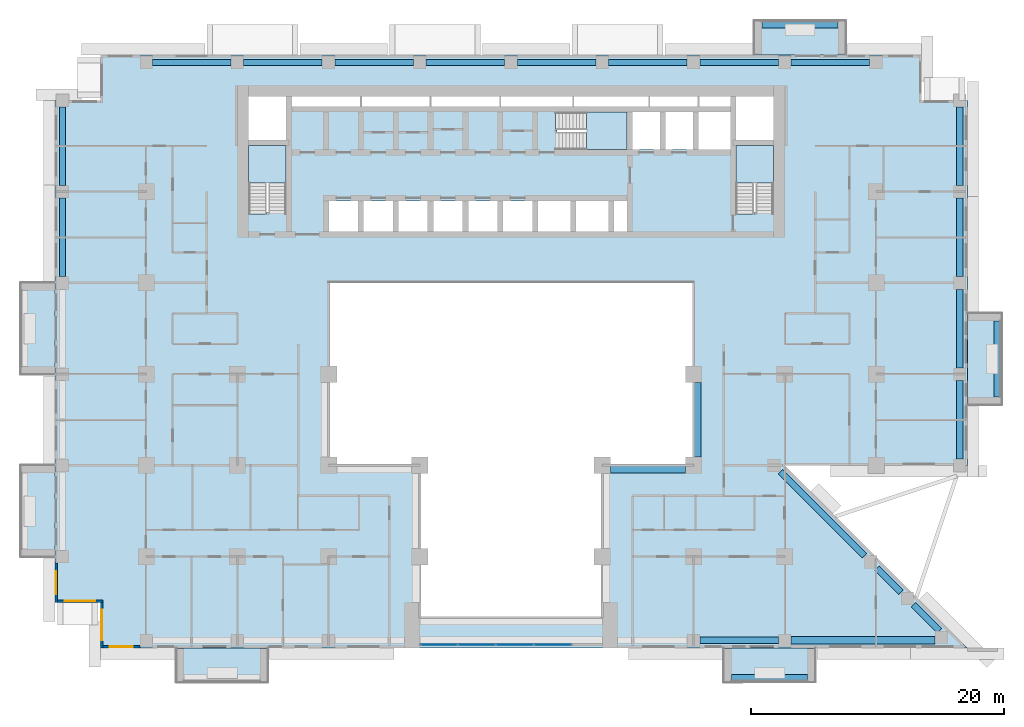
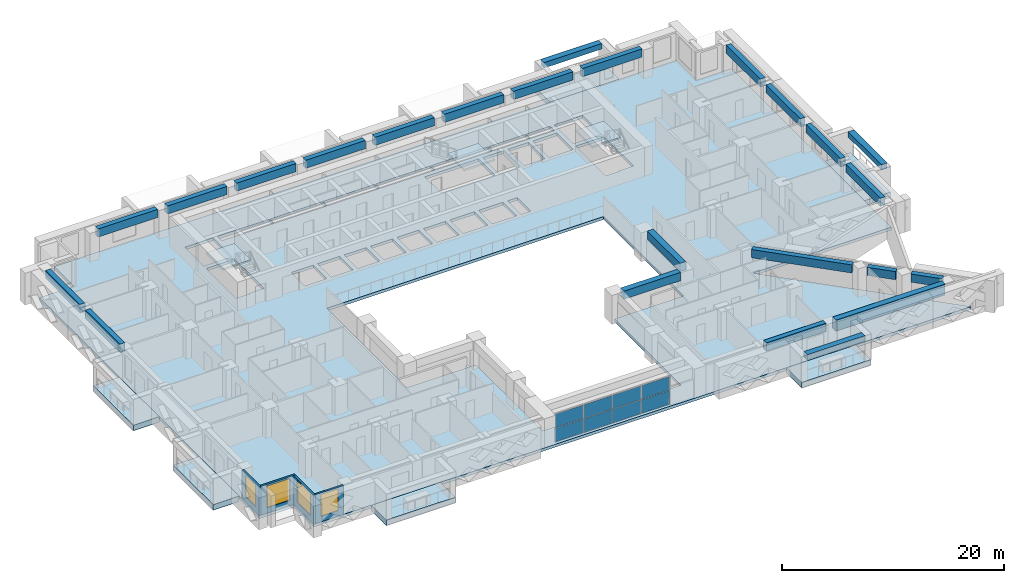
# One storey, part 5 of 16: 24 beams, 10 slabs, 8 plates, 4 walls, 4 windows, 4 openings, 4 elements without a shape of their own.
"""IFC4 building model written with IfcOpenShell, lengths in metres."""

from ifc_helpers import new_model, si_unit, direction, frame, frame_2d, origin, origin_2d, place, context, subcontext, project, spatial, polyline, rectangle, outline, extrude, source, transform, mapped, material, layer, layer_set, material_profile, profile_set, type_object, element, fill, aggregate, save


model = new_model("IFC4")

# Units and contexts
model_context = context("Model", 3, precision=1e-05, world=origin(), true_north=direction((0.0, 1.0)))
body_context = subcontext(model_context, "Body", "Model", "MODEL_VIEW")
ifc_project = project(units=[si_unit("LENGTHUNIT", "METRE"), si_unit("AREAUNIT", "SQUARE_METRE"), si_unit("VOLUMEUNIT", "CUBIC_METRE"), si_unit("PLANEANGLEUNIT", "RADIAN"), si_unit("MASSUNIT", "GRAM", prefix="KILO")], contexts=[model_context])

# Site, building, storey
site_placement = place(None, origin())
site = spatial("IfcSite", under=ifc_project, at=site_placement, CompositionType="ELEMENT")
building_placement = place(site_placement, origin())
building = spatial("IfcBuilding", under=site, at=building_placement, Name="Saffron Iwan Residences", CompositionType="ELEMENT")
storey_placement = place(building_placement, frame((0.0, 0.0, 69.0)))
storey = spatial("IfcBuildingStorey", under=building, at=storey_placement, Name="L17", CompositionType="ELEMENT", Elevation=69.0)

# Beams
ifc_material_1 = material(Name="Concrete C60/75", Category="concrete")
ifc_material_profile_1 = material_profile(ifc_material_1, rectangle(XDim=0.5, YDim=0.89990234375, at=origin_2d()), Name="RC 500x900")
ifc_profile_set_1 = profile_set([ifc_material_profile_1], Name="Concrete C60/75")
beam_type_1 = type_object("IfcBeamType", Name="SPANDREL BEAM RC 500x900 C60/75 TOP 3180", PredefinedType="SPANDREL", material=ifc_profile_set_1)
shared_shape_1 = source(origin(), body_context, "Body", "SweptSolid", [
    extrude(rectangle(XDim=0.5, YDim=0.89990234375, at=origin_2d()), origin(), (0.0, 0.0, 1.0), 6.199951171875),
])
for number, where, z_axis, x_axis, name in (
    (1, (71.5, 34.199951171875, 2.72998046875), (-1.0, 0.0, 0.0), (0.0, -1.0, 0.0), "Spandrel beam"),
    (2, (85.800048828125, 54.699951171875, 2.72998046875), (0.0, -1.0, 0.0), (1.0, 0.0, 0.0), "Spandrel beam"),
    (3, (85.800048828125, 61.89990234375, 2.72998046875), (0.0, -1.0, 0.0), (1.0, 0.0, 0.0), "Spandrel beam"),
    (4, (15.0, 70.10009765625, 2.72998046875), (0.0, 1.0, 0.0), (-1.0, 0.0, 0.0), "Spandrel beam"),
    (5, (85.800048828125, 76.300048828125, 2.72998046875), (0.0, -1.0, 0.0), (1.0, 0.0, 0.0), "Spandrel beam"),
    (6, (22.10009765625, 79.800048828125, 2.72998046875), (1.0, 0.0, 0.0), (0.0, 1.0, 0.0), "Spandrel beam"),
    (7, (29.300048828125, 79.800048828125, 2.72998046875), (1.0, 0.0, 0.0), (0.0, 1.0, 0.0), "Spandrel beam"),
    (8, (36.5, 79.800048828125, 2.72998046875), (1.0, 0.0, 0.0), (0.0, 1.0, 0.0), "Spandrel beam"),
    (9, (43.699951171875, 79.800048828125, 2.72998046875), (1.0, 0.0, 0.0), (0.0, 1.0, 0.0), "Spandrel beam"),
    (10, (58.10009765625, 79.800048828125, 2.72998046875), (1.0, 0.0, 0.0), (0.0, 1.0, 0.0), "Spandrel beam"),
    (11, (65.300048828125, 79.800048828125, 2.72998046875), (1.0, 0.0, 0.0), (0.0, 1.0, 0.0), "Spandrel beam"),
    (12, (72.5, 79.800048828125, 2.72998046875), (1.0, 0.0, 0.0), (0.0, 1.0, 0.0), "Spandrel beam"),
):
    element("IfcBeam", number, at=place(storey_placement, frame(where, z_axis=z_axis, x_axis=x_axis)), inside=storey, type_object=beam_type_1, Name=name, PredefinedType="SPANDREL", context=body_context, shape_type="MappedRepresentation", body=[
        mapped(shared_shape_1, transform((0.0, 0.0, 0.0))),
    ])
shared_shape_2 = source(origin(), body_context, "Body", "SweptSolid", [
    extrude(rectangle(XDim=0.5, YDim=0.89990234375, at=origin_2d()), origin(), (0.0, 0.0, 1.0), 2.90478515625),
])
beam_1_placement = place(storey_placement, frame((82.15576171875, 36.995849609375, 2.72998046875), z_axis=(0.707106781187, -0.707106781187, 0.0), x_axis=(0.707106781187, 0.707106781187, 0.0)))
element("IfcBeam", 13, at=beam_1_placement, inside=storey, type_object=beam_type_1, Name="Spandrel beam", PredefinedType="SPANDREL", context=body_context, shape_type="MappedRepresentation", body=[
    mapped(shared_shape_2, transform((0.0, 0.0, 0.0))),
])
shared_shape_3 = source(origin(), body_context, "Body", "SweptSolid", [
    extrude(rectangle(XDim=0.5, YDim=0.89990234375, at=origin_2d()), origin(), (0.0, 0.0, 1.0), 2.658935546875),
])
beam_2_placement = place(storey_placement, frame((79.275634765625, 39.875732421875, 2.72998046875), z_axis=(0.707106781187, -0.707106781187, 0.0), x_axis=(0.707106781187, 0.707106781187, 0.0)))
element("IfcBeam", 14, at=beam_2_placement, inside=storey, type_object=beam_type_1, Name="Spandrel beam", PredefinedType="SPANDREL", context=body_context, shape_type="MappedRepresentation", body=[
    mapped(shared_shape_3, transform((0.0, 0.0, 0.0))),
])
shared_shape_4 = source(origin(), body_context, "Body", "SweptSolid", [
    extrude(rectangle(XDim=0.5, YDim=0.89990234375, at=origin_2d()), origin(), (0.0, 0.0, 1.0), 9.370361328125),
])
beam_3_placement = place(storey_placement, frame((71.64990234375, 47.50146484375, 2.72998046875), z_axis=(0.707119808329, -0.707093753804, 0.0), x_axis=(0.707093753804, 0.707119808329, 0.0)))
element("IfcBeam", 15, at=beam_3_placement, inside=storey, type_object=beam_type_1, Name="Spandrel beam", PredefinedType="SPANDREL", context=body_context, shape_type="MappedRepresentation", body=[
    mapped(shared_shape_4, transform((0.0, 0.0, 0.0))),
])
shared_shape_5 = source(origin(), body_context, "Body", "SweptSolid", [
    extrude(rectangle(XDim=0.5, YDim=0.89990234375, at=origin_2d()), origin(), (0.0, 0.0, 1.0), 6.2001953125),
])
for number, where, z_axis, x_axis, name in (
    (16, (15.0, 62.89990234375, 2.72998046875), (0.0, 1.0, 0.0), (-1.0, 0.0, 0.0), "Spandrel beam"),
    (17, (85.800048828125, 69.10009765625, 2.72998046875), (0.0, -1.0, 0.0), (1.0, 0.0, 0.0), "Spandrel beam"),
    (18, (50.89990234375, 79.800048828125, 2.72998046875), (1.0, 0.0, 0.0), (0.0, 1.0, 0.0), "Spandrel beam"),
):
    element("IfcBeam", number, at=place(storey_placement, frame(where, z_axis=z_axis, x_axis=x_axis)), inside=storey, type_object=beam_type_1, Name=name, PredefinedType="SPANDREL", context=body_context, shape_type="MappedRepresentation", body=[
        mapped(shared_shape_5, transform((0.0, 0.0, 0.0))),
    ])
ifc_material_profile_2 = material_profile(ifc_material_1, rectangle(XDim=0.60009765625, YDim=1.199951171875, at=origin_2d()), Name="RC 600x1200")
ifc_profile_set_2 = profile_set([ifc_material_profile_2], Name="Concrete C60/75")
beam_type_2 = type_object("IfcBeamType", Name="LINTEL BEAM RC 600x1200 C60/75 TOP 3180", PredefinedType="LINTEL", material=ifc_profile_set_2)
shared_shape_6 = source(origin(), body_context, "Body", "SweptSolid", [
    extrude(rectangle(XDim=0.60009765625, YDim=1.199951171875, at=origin_2d()), origin(), (0.0, 0.0, 1.0), 11.367431640625),
])
beam_4_placement = place(storey_placement, frame((83.867431640625, 34.199951171875, 2.580078125), z_axis=(-1.0, 0.0, 0.0), x_axis=(0.0, -1.0, 0.0)))
element("IfcBeam", 19, at=beam_4_placement, inside=storey, type_object=beam_type_2, Name="Lintel beam over the iwan", PredefinedType="LINTEL", context=body_context, shape_type="MappedRepresentation", body=[
    mapped(shared_shape_6, transform((0.0, 0.0, 0.0))),
])
ifc_material_profile_3 = material_profile(ifc_material_1, rectangle(XDim=0.60009765625, YDim=0.89990234375, at=origin_2d()), Name="RC 600x900")
ifc_profile_set_3 = profile_set([ifc_material_profile_3], Name="Concrete C60/75")
beam_type_3 = type_object("IfcBeamType", Name="BEAM RC 600x900 C60/75 TOP 3180", PredefinedType="BEAM", material=ifc_profile_set_3)
shared_shape_7 = source(origin(), body_context, "Body", "SweptSolid", [
    extrude(rectangle(XDim=0.60009765625, YDim=0.89990234375, at=origin_2d()), origin(), (0.0, 0.0, 1.0), 5.900146484375),
])
beam_5_placement = place(storey_placement, frame((65.10009765625, 54.550048828125, 2.72998046875), z_axis=(0.0, -1.0, 0.0), x_axis=(1.0, 0.0, 0.0)))
element("IfcBeam", 20, at=beam_5_placement, inside=storey, type_object=beam_type_3, Name="Atrium edge beam", PredefinedType="BEAM", context=body_context, shape_type="MappedRepresentation", body=[
    mapped(shared_shape_7, transform((0.0, 0.0, 0.0))),
])
shared_shape_8 = source(origin(), body_context, "Body", "SweptSolid", [
    extrude(rectangle(XDim=0.60009765625, YDim=0.89990234375, at=origin_2d()), origin(), (0.0, 0.0, 1.0), 5.89990234375),
])
beam_6_placement = place(storey_placement, frame((64.14990234375, 47.699951171875, 2.72998046875), z_axis=(-1.0, 0.0, 0.0), x_axis=(0.0, -1.0, 0.0)))
element("IfcBeam", 21, at=beam_6_placement, inside=storey, type_object=beam_type_3, Name="Atrium edge beam", PredefinedType="BEAM", context=body_context, shape_type="MappedRepresentation", body=[
    mapped(shared_shape_8, transform((0.0, 0.0, 0.0))),
])
ifc_material_2 = material(Name="Concrete C50/60 white painted", Category="concrete")
ifc_material_profile_4 = material_profile(ifc_material_2, rectangle(XDim=0.60009765625, YDim=0.60009765625, at=origin_2d()), Name="BALCONY FASCIA BEAM 600 x 600")
ifc_profile_set_4 = profile_set([ifc_material_profile_4], Name="Concrete C50/60 white painted")
beam_type_4 = type_object("IfcBeamType", Name="BALCONY FASCIA BEAM 600 x 600", PredefinedType="BEAM", material=ifc_profile_set_4)
shared_shape_9 = source(origin(), body_context, "Body", "SweptSolid", [
    extrude(rectangle(XDim=0.60009765625, YDim=0.60009765625, at=origin_2d()), origin(), (0.0, 0.0, 1.0), 6.0),
])
for number, where, z_axis, x_axis, name in (
    (22, (88.800048828125, 53.39990234375, 2.550048828125), (0.0, 1.0, 0.0), (-1.0, 0.0, 0.0), "Balcony fascia beam L17 F2-0"),
    (23, (76.199951171875, 82.800048828125, 2.550048828125), (-1.0, 0.0, 0.0), (0.0, -1.0, 0.0), "Balcony fascia beam L17 F5-0"),
    (24, (67.800048828125, 31.199951171875, 2.550048828125), (1.0, 0.0, 0.0), (0.0, 1.0, 0.0), "Balcony fascia beam L17 11-1"),
):
    element("IfcBeam", number, at=place(storey_placement, frame(where, z_axis=z_axis, x_axis=x_axis)), inside=storey, type_object=beam_type_4, Name=name, PredefinedType="BEAM", context=body_context, shape_type="MappedRepresentation", body=[
        mapped(shared_shape_9, transform((0.0, 0.0, 0.0))),
    ])

# Slabs
ifc_layer_1 = layer(ifc_material_2, 0.60009765625)
ifc_layer_set_1 = layer_set([ifc_layer_1], Name="Concrete C50/60 white painted")
slab_type_1 = type_object("IfcSlabType", Name="BALCONY FRAME SLAB 600", PredefinedType="FLOOR", material=ifc_layer_set_1)
slab_1_placement = place(storey_placement, frame((0.0, 0.0, -0.60009765625)))
element("IfcSlab", 25, at=slab_1_placement, inside=storey, type_object=slab_type_1, Name="Balcony frame slab L17 F2-0", PredefinedType="FLOOR", context=body_context, shape_type="SweptSolid", body=[
    extrude(outline(polyline([(89.10009765625, 52.800048828125), (89.10009765625, 60.0), (86.39990234375, 60.0), (86.39990234375, 52.800048828125), (89.10009765625, 52.800048828125)])), origin(), (0.0, 0.0, 1.0), 0.60009765625),
])
slab_2_placement = place(storey_placement, frame((0.0, 0.0, -0.60009765625)))
element("IfcSlab", 26, at=slab_2_placement, inside=storey, type_object=slab_type_1, Name="Balcony frame slab L17 F5-0", PredefinedType="FLOOR", context=body_context, shape_type="SweptSolid", body=[
    extrude(outline(polyline([(76.800048828125, 83.10009765625), (69.60009765625, 83.10009765625), (69.60009765625, 80.39990234375), (76.800048828125, 80.39990234375), (76.800048828125, 83.10009765625)])), origin(), (0.0, 0.0, 1.0), 0.60009765625),
])
slab_3_placement = place(storey_placement, frame((0.0, 0.0, -0.60009765625)))
element("IfcSlab", 27, at=slab_3_placement, inside=storey, type_object=slab_type_1, Name="Balcony frame slab L17 F8-0", PredefinedType="FLOOR", context=body_context, shape_type="SweptSolid", body=[
    extrude(outline(polyline([(11.699951171875, 62.39990234375), (11.699951171875, 55.199951171875), (14.39990234375, 55.199951171875), (14.39990234375, 62.39990234375), (11.699951171875, 62.39990234375)])), origin(), (0.0, 0.0, 1.0), 0.60009765625),
])
slab_4_placement = place(storey_placement, frame((0.0, 0.0, -0.60009765625)))
element("IfcSlab", 28, at=slab_4_placement, inside=storey, type_object=slab_type_1, Name="Balcony frame slab L17 F8-1", PredefinedType="FLOOR", context=body_context, shape_type="SweptSolid", body=[
    extrude(outline(polyline([(11.699951171875, 48.0), (11.699951171875, 40.800048828125), (14.39990234375, 40.800048828125), (14.39990234375, 48.0), (11.699951171875, 48.0)])), origin(), (0.0, 0.0, 1.0), 0.60009765625),
])
slab_5_placement = place(storey_placement, frame((0.0, 0.0, -0.60009765625)))
element("IfcSlab", 29, at=slab_5_placement, inside=storey, type_object=slab_type_1, Name="Balcony frame slab L17 11-0", PredefinedType="FLOOR", context=body_context, shape_type="SweptSolid", body=[
    extrude(outline(polyline([(24.0, 30.89990234375), (31.199951171875, 30.89990234375), (31.199951171875, 33.60009765625), (24.0, 33.60009765625), (24.0, 30.89990234375)])), origin(), (0.0, 0.0, 1.0), 0.60009765625),
])
slab_6_placement = place(storey_placement, frame((0.0, 0.0, -0.60009765625)))
element("IfcSlab", 30, at=slab_6_placement, inside=storey, type_object=slab_type_1, Name="Balcony frame slab L17 11-1", PredefinedType="FLOOR", context=body_context, shape_type="SweptSolid", body=[
    extrude(outline(polyline([(67.199951171875, 30.89990234375), (74.39990234375, 30.89990234375), (74.39990234375, 33.60009765625), (67.199951171875, 33.60009765625), (67.199951171875, 30.89990234375)])), origin(), (0.0, 0.0, 1.0), 0.60009765625),
])
ifc_material_3 = material(Name="Concrete C40/50", Category="concrete")
ifc_layer_2 = layer(ifc_material_3, 0.320068359375)
ifc_layer_set_2 = layer_set([ifc_layer_2], Name="Concrete C40/50")
slab_type_2 = type_object("IfcSlabType", Name="PT PLATE 320 C40/50", PredefinedType="FLOOR", material=ifc_layer_set_2)
slab_7_placement = place(storey_placement, frame((0.0, 0.0, -0.320068359375)))
element("IfcSlab", 31, at=slab_7_placement, inside=storey, type_object=slab_type_2, Name="Floor slab L17", PredefinedType="FLOOR", context=body_context, shape_type="SweptSolid", body=[
    extrude(outline(polyline([(14.39990234375, 37.199951171875), (14.39990234375, 76.800048828125), (18.0, 76.800048828125), (18.0, 80.39990234375), (82.800048828125, 80.39990234375), (82.800048828125, 76.800048828125), (86.39990234375, 76.800048828125), (86.39990234375, 48.0), (72.0, 48.0), (86.39990234375, 33.60009765625), (18.0, 33.60009765625), (18.0, 37.199951171875), (14.39990234375, 37.199951171875)]), holes=[polyline([(64.800048828125, 48.0), (64.800048828125, 62.39990234375), (36.0, 62.39990234375), (36.0, 48.0), (43.199951171875, 48.0), (43.199951171875, 36.0), (57.60009765625, 36.0), (57.60009765625, 48.0), (64.800048828125, 48.0)]), polyline([(38.324951171875, 68.875), (36.02490234375, 68.875), (36.02490234375, 66.449951171875), (38.324951171875, 66.449951171875), (38.324951171875, 68.875)]), polyline([(41.074951171875, 66.449951171875), (41.074951171875, 68.875), (38.77490234375, 68.875), (38.77490234375, 66.449951171875), (41.074951171875, 66.449951171875)]), polyline([(43.824951171875, 66.449951171875), (43.824951171875, 68.875), (41.52490234375, 68.875), (41.52490234375, 66.449951171875), (43.824951171875, 66.449951171875)]), polyline([(46.574951171875, 68.875), (44.27490234375, 68.875), (44.27490234375, 66.449951171875), (46.574951171875, 66.449951171875), (46.574951171875, 68.875)]), polyline([(49.324951171875, 66.449951171875), (49.324951171875, 68.875), (47.02490234375, 68.875), (47.02490234375, 66.449951171875), (49.324951171875, 66.449951171875)]), polyline([(52.074951171875, 66.449951171875), (52.074951171875, 68.875), (49.77490234375, 68.875), (49.77490234375, 66.449951171875), (52.074951171875, 66.449951171875)]), polyline([(29.699951171875, 73.25), (29.699951171875, 67.949951171875), (29.699951171875, 67.8505859375), (31.10009765625, 67.8505859375), (31.10009765625, 67.949951171875), (32.64990234375, 67.949951171875), (32.64990234375, 73.25), (29.699951171875, 73.25)]), polyline([(32.64990234375, 73.699951171875), (32.64990234375, 77.10009765625), (29.699951171875, 77.10009765625), (29.699951171875, 73.699951171875), (32.64990234375, 73.699951171875)]), polyline([(38.5, 76.324951171875), (38.5, 77.10009765625), (33.10009765625, 77.10009765625), (33.10009765625, 76.324951171875), (38.5, 76.324951171875)]), polyline([(44.0, 77.10009765625), (38.60009765625, 77.10009765625), (38.60009765625, 76.324951171875), (44.0, 76.324951171875), (44.0, 77.10009765625)]), polyline([(49.5, 76.324951171875), (49.5, 77.10009765625), (44.10009765625, 77.10009765625), (44.10009765625, 76.324951171875), (49.5, 76.324951171875)]), polyline([(55.25, 76.324951171875), (55.25, 77.10009765625), (49.60009765625, 77.10009765625), (49.60009765625, 76.324951171875), (55.25, 76.324951171875)]), polyline([(55.074951171875, 68.875), (52.52490234375, 68.875), (52.52490234375, 66.449951171875), (55.074951171875, 66.449951171875), (55.074951171875, 68.875)]), polyline([(58.074951171875, 66.449951171875), (58.074951171875, 68.875), (55.52490234375, 68.875), (55.52490234375, 66.449951171875), (58.074951171875, 66.449951171875)]), polyline([(59.550048828125, 66.449951171875), (59.550048828125, 68.875), (58.52490234375, 68.875), (58.52490234375, 66.449951171875), (59.550048828125, 66.449951171875)]), polyline([(68.14990234375, 73.25), (68.14990234375, 67.949951171875), (68.14990234375, 67.8505859375), (69.550048828125, 67.8505859375), (69.550048828125, 67.949951171875), (71.10009765625, 67.949951171875), (71.10009765625, 73.25), (68.14990234375, 73.25)]), polyline([(53.925537109375, 74.47509765625), (54.02490234375, 74.47509765625), (54.02490234375, 72.925048828125), (59.550048828125, 72.925048828125), (59.550048828125, 75.875), (54.02490234375, 75.875), (53.925537109375, 75.875), (53.925537109375, 74.47509765625)]), polyline([(62.14990234375, 72.925048828125), (62.14990234375, 75.875), (60.0, 75.875), (60.0, 72.925048828125), (62.14990234375, 72.925048828125)]), polyline([(64.75, 75.875), (62.60009765625, 75.875), (62.60009765625, 72.925048828125), (64.75, 72.925048828125), (64.75, 75.875)]), polyline([(67.699951171875, 72.925048828125), (67.699951171875, 75.875), (65.199951171875, 75.875), (65.199951171875, 72.925048828125), (67.699951171875, 72.925048828125)]), polyline([(71.10009765625, 73.699951171875), (71.10009765625, 77.10009765625), (68.14990234375, 77.10009765625), (68.14990234375, 73.699951171875), (71.10009765625, 73.699951171875)]), polyline([(61.25, 77.10009765625), (55.35009765625, 77.10009765625), (55.35009765625, 76.324951171875), (61.25, 76.324951171875), (61.25, 77.10009765625)]), polyline([(65.14990234375, 76.324951171875), (65.14990234375, 77.10009765625), (61.35009765625, 77.10009765625), (61.35009765625, 76.324951171875), (65.14990234375, 76.324951171875)]), polyline([(67.699951171875, 76.324951171875), (67.699951171875, 77.10009765625), (65.25, 77.10009765625), (65.25, 76.324951171875), (67.699951171875, 76.324951171875)])]), origin(), (0.0, 0.0, 1.0), 0.320068359375),
])

# Stair, slab
ifc_material_4 = material(Name="Concrete C50/60", Category="concrete")
stair_type = type_object("IfcStairType", Name="Stair ST-CORE", PredefinedType="HALF_TURN_STAIR", material=ifc_material_4)
stair_1_placement = place(storey_placement, origin())
stair_1 = element("IfcStair", 32, at=stair_1_placement, inside=storey, type_object=stair_type, Name="L17 Exit Stair ST-W", PredefinedType="HALF_TURN_STAIR")
ifc_layer_3 = layer(ifc_material_4, 0.199951171875)
ifc_layer_set_3 = layer_set([ifc_layer_3], Name="Concrete C50/60")
slab_type_3 = type_object("IfcSlabType", Name="Stair landing SL-RC", PredefinedType="LANDING", material=ifc_layer_set_3)
slab_8_placement = place(storey_placement, frame((0.0, 0.0, 1.5498046875)))
slab_8 = element("IfcSlab", 33, at=slab_8_placement, type_object=slab_type_3, Name="ST-W landing 1", PredefinedType="LANDING", context=body_context, shape_type="SweptSolid", body=[
    extrude(outline(polyline([(32.64990234375, 70.280029296875), (32.64990234375, 73.25), (29.699951171875, 73.25), (29.699951171875, 70.280029296875), (32.64990234375, 70.280029296875)])), origin(), (0.0, 0.0, 1.0), 0.2001953125),
])
aggregate(stair_1, [slab_8])

stair_2_placement = place(storey_placement, origin())
stair_2 = element("IfcStair", 34, at=stair_2_placement, inside=storey, type_object=stair_type, Name="L17 Exit Stair ST-C", PredefinedType="HALF_TURN_STAIR")
slab_9_placement = place(storey_placement, frame((0.0, 0.0, 1.5498046875)))
slab_9 = element("IfcSlab", 35, at=slab_9_placement, type_object=slab_type_3, Name="ST-C landing 1", PredefinedType="LANDING", context=body_context, shape_type="SweptSolid", body=[
    extrude(outline(polyline([(56.35498046875, 72.925048828125), (59.550048828125, 72.925048828125), (59.550048828125, 75.875), (56.35498046875, 75.875), (56.35498046875, 72.925048828125)])), origin(), (0.0, 0.0, 1.0), 0.2001953125),
])
aggregate(stair_2, [slab_9])

stair_3_placement = place(storey_placement, origin())
stair_3 = element("IfcStair", 36, at=stair_3_placement, inside=storey, type_object=stair_type, Name="L17 Exit Stair ST-E", PredefinedType="HALF_TURN_STAIR")
slab_10_placement = place(storey_placement, frame((0.0, 0.0, 1.5498046875)))
slab_10 = element("IfcSlab", 37, at=slab_10_placement, type_object=slab_type_3, Name="ST-E landing 1", PredefinedType="LANDING", context=body_context, shape_type="SweptSolid", body=[
    extrude(outline(polyline([(71.10009765625, 70.280029296875), (71.10009765625, 73.25), (68.14990234375, 73.25), (68.14990234375, 70.280029296875), (71.10009765625, 70.280029296875)])), origin(), (0.0, 0.0, 1.0), 0.2001953125),
])
aggregate(stair_3, [slab_10])

# Curtain wall, plates
ifc_material_5 = material(Name="Clear glass, laminated double glazed", Category="glass")
ifc_layer_4 = layer(ifc_material_5, 0.199951171875)
ifc_layer_set_4 = layer_set([ifc_layer_4], Name="Clear glass, laminated double glazed")
curtain_wall_type = type_object("IfcCurtainWallType", Name="CW-B IWAN PORTAL", PredefinedType="NOTDEFINED", material=ifc_layer_set_4)
curtain_wall_placement = place(storey_placement, origin())
curtain_wall = element("IfcCurtainWall", 38, at=curtain_wall_placement, inside=storey, type_object=curtain_wall_type, Name="Iwan portal glazing L17.1", PredefinedType="NOTDEFINED")
ifc_layer_5 = layer(ifc_material_5, 0.028076171875)
ifc_layer_set_5 = layer_set([ifc_layer_5], Name="Clear glass, laminated double glazed")
plate_type = type_object("IfcPlateType", Name="CW-B PANEL 28", PredefinedType="CURTAIN_PANEL", material=ifc_layer_set_5)
shared_shape_10 = source(origin(), body_context, "Body", "SweptSolid", [
    extrude(rectangle(XDim=2.909912109375, YDim=0.028076171875, at=origin_2d()), origin(), (0.0, 0.0, 1.0), 1.5),
])
plate_1_placement = place(storey_placement, frame((44.715087890625, 33.85009765625, 0.06005859375), z_axis=(0.0, 0.0, 1.0), x_axis=(1.0, 0.0, 0.0)))
plate_1 = element("IfcPlate", 39, at=plate_1_placement, type_object=plate_type, Name="CW-B panel 1.1", PredefinedType="CURTAIN_PANEL", context=body_context, shape_type="MappedRepresentation", body=[
    mapped(shared_shape_10, transform((0.0, 0.0, 0.0))),
])
plate_2_placement = place(storey_placement, frame((44.715087890625, 33.85009765625, 1.6201171875), z_axis=(0.0, 0.0, 1.0), x_axis=(1.0, 0.0, 0.0)))
plate_2 = element("IfcPlate", 40, at=plate_2_placement, type_object=plate_type, Name="CW-B panel 1.2", PredefinedType="CURTAIN_PANEL", context=body_context, shape_type="MappedRepresentation", body=[
    mapped(shared_shape_10, transform((0.0, 0.0, 0.0))),
])
plate_3_placement = place(storey_placement, frame((53.68505859375, 33.85009765625, 0.06005859375), z_axis=(0.0, 0.0, 1.0), x_axis=(1.0, 0.0, 0.0)))
plate_3 = element("IfcPlate", 41, at=plate_3_placement, type_object=plate_type, Name="CW-B panel 4.1", PredefinedType="CURTAIN_PANEL", context=body_context, shape_type="MappedRepresentation", body=[
    mapped(shared_shape_10, transform((0.0, 0.0, 0.0))),
])
plate_4_placement = place(storey_placement, frame((53.68505859375, 33.85009765625, 1.6201171875), z_axis=(0.0, 0.0, 1.0), x_axis=(1.0, 0.0, 0.0)))
plate_4 = element("IfcPlate", 42, at=plate_4_placement, type_object=plate_type, Name="CW-B panel 4.2", PredefinedType="CURTAIN_PANEL", context=body_context, shape_type="MappedRepresentation", body=[
    mapped(shared_shape_10, transform((0.0, 0.0, 0.0))),
])
shared_shape_11 = source(origin(), body_context, "Body", "SweptSolid", [
    extrude(rectangle(XDim=2.93994140625, YDim=0.028076171875, at=origin_2d()), origin(), (0.0, 0.0, 1.0), 1.5),
])
plate_5_placement = place(storey_placement, frame((47.699951171875, 33.85009765625, 0.06005859375), z_axis=(0.0, 0.0, 1.0), x_axis=(1.0, 0.0, 0.0)))
plate_5 = element("IfcPlate", 43, at=plate_5_placement, type_object=plate_type, Name="CW-B panel 2.1", PredefinedType="CURTAIN_PANEL", context=body_context, shape_type="MappedRepresentation", body=[
    mapped(shared_shape_11, transform((0.0, 0.0, 0.0))),
])
plate_6_placement = place(storey_placement, frame((47.699951171875, 33.85009765625, 1.6201171875), z_axis=(0.0, 0.0, 1.0), x_axis=(1.0, 0.0, 0.0)))
plate_6 = element("IfcPlate", 44, at=plate_6_placement, type_object=plate_type, Name="CW-B panel 2.2", PredefinedType="CURTAIN_PANEL", context=body_context, shape_type="MappedRepresentation", body=[
    mapped(shared_shape_11, transform((0.0, 0.0, 0.0))),
])
plate_7_placement = place(storey_placement, frame((50.699951171875, 33.85009765625, 0.06005859375), z_axis=(0.0, 0.0, 1.0), x_axis=(1.0, 0.0, 0.0)))
plate_7 = element("IfcPlate", 45, at=plate_7_placement, type_object=plate_type, Name="CW-B panel 3.1", PredefinedType="CURTAIN_PANEL", context=body_context, shape_type="MappedRepresentation", body=[
    mapped(shared_shape_11, transform((0.0, 0.0, 0.0))),
])
plate_8_placement = place(storey_placement, frame((50.699951171875, 33.85009765625, 1.6201171875), z_axis=(0.0, 0.0, 1.0), x_axis=(1.0, 0.0, 0.0)))
plate_8 = element("IfcPlate", 46, at=plate_8_placement, type_object=plate_type, Name="CW-B panel 3.2", PredefinedType="CURTAIN_PANEL", context=body_context, shape_type="MappedRepresentation", body=[
    mapped(shared_shape_11, transform((0.0, 0.0, 0.0))),
])
aggregate(curtain_wall, [plate_1, plate_2, plate_5, plate_6, plate_7, plate_8, plate_3, plate_4])

# Wall, opening, window
ifc_layer_6 = layer(ifc_material_3, 0.199951171875)
ifc_layer_set_6 = layer_set([ifc_layer_6], Name="Concrete C40/50")
wall_type = type_object("IfcWallType", Name="EXTERNAL WALL 200", PredefinedType="SOLIDWALL", material=ifc_layer_set_6)
wall_1_placement = place(storey_placement, frame((14.5, 40.300048828125, 0.0), z_axis=(0.0, 0.0, 1.0), x_axis=(0.0, -1.0, 0.0)))
wall_1 = element("IfcWall", 47, at=wall_1_placement, inside=storey, type_object=wall_type, Name="External wall L17 F8.5", PredefinedType="SOLIDWALL", context=body_context, shape_type="SweptSolid", body=[
    extrude(rectangle(XDim=3.10009765625, YDim=0.199951171875, at=frame_2d((1.550048828125, 0.0))), origin(), (0.0, 0.0, 1.0), 3.179931640625),
])
opening_1_placement = place(wall_1_placement, frame((0.64990234375, 0.0, 0.60009765625)))
opening_1 = element("IfcOpeningElement", 48, at=opening_1_placement, cuts=wall_1, Name="Opening W8", PredefinedType="OPENING", context=body_context, shape_type="SweptSolid", body=[
    extrude(rectangle(XDim=1.800048828125, YDim=2.39990234375, at=frame_2d((0.89990234375, 1.199951171875))), frame((0.0, 0.10986328125, 0.0), z_axis=(0.0, -1.0, 0.0), x_axis=(1.0, 0.0, 0.0)), (0.0, 0.0, 1.0), 0.219970703125),
])
window_type_1 = type_object("IfcWindowType", Name="WINDOW 1800 x 2400", PartitioningType="DOUBLE_PANEL_VERTICAL", PredefinedType="WINDOW", material=ifc_material_5)
window_1_placement = place(opening_1_placement, origin())
window_1 = element("IfcWindow", 49, at=window_1_placement, inside=storey, type_object=window_type_1, Name="Window L17 F8.0", OverallHeight=2.39990234375, OverallWidth=1.800048828125, PartitioningType="DOUBLE_PANEL_VERTICAL", PredefinedType="WINDOW", context=body_context, shape_type="SweptSolid", body=[
    extrude(rectangle(XDim=1.800048828125, YDim=2.39990234375, at=frame_2d((0.89990234375, 1.199951171875))), frame((0.0, 0.030029296875, 0.0), z_axis=(0.0, -1.0, 0.0), x_axis=(1.0, 0.0, 0.0)), (0.0, 0.0, 1.0), 0.06005859375),
])
fill(opening_1, window_1)

wall_2_placement = place(storey_placement, frame((14.60009765625, 37.300048828125, 0.0), z_axis=(0.0, 0.0, 1.0), x_axis=(1.0, 0.0, 0.0)))
wall_2 = element("IfcWall", 50, at=wall_2_placement, inside=storey, type_object=wall_type, Name="External wall L17 F9.0", PredefinedType="SOLIDWALL", context=body_context, shape_type="SweptSolid", body=[
    extrude(rectangle(XDim=3.599853515625, YDim=0.199951171875, at=frame_2d((1.7998046875, 0.0))), origin(), (0.0, 0.0, 1.0), 3.179931640625),
])
opening_2_placement = place(wall_2_placement, frame((0.60009765625, 0.0, 0.60009765625)))
opening_2 = element("IfcOpeningElement", 51, at=opening_2_placement, cuts=wall_2, Name="Opening W1", PredefinedType="OPENING", context=body_context, shape_type="SweptSolid", body=[
    extrude(rectangle(XDim=2.39990234375, YDim=2.39990234375, at=frame_2d((1.199951171875, 1.199951171875))), frame((0.0, 0.10986328125, 0.0), z_axis=(0.0, -1.0, 0.0), x_axis=(1.0, 0.0, 0.0)), (0.0, 0.0, 1.0), 0.219970703125),
])
window_type_2 = type_object("IfcWindowType", Name="WINDOW 2400 x 2400", PartitioningType="DOUBLE_PANEL_VERTICAL", PredefinedType="WINDOW", material=ifc_material_5)
window_2_placement = place(opening_2_placement, origin())
window_2 = element("IfcWindow", 52, at=window_2_placement, inside=storey, type_object=window_type_2, Name="Window L17 F9.0", OverallHeight=2.39990234375, OverallWidth=2.39990234375, PartitioningType="DOUBLE_PANEL_VERTICAL", PredefinedType="WINDOW", context=body_context, shape_type="SweptSolid", body=[
    extrude(rectangle(XDim=2.39990234375, YDim=2.39990234375, at=frame_2d((1.199951171875, 1.199951171875))), frame((0.0, 0.030029296875, 0.0), z_axis=(0.0, -1.0, 0.0), x_axis=(1.0, 0.0, 0.0)), (0.0, 0.0, 1.0), 0.06005859375),
])
fill(opening_2, window_2)

wall_3_placement = place(storey_placement, frame((18.10009765625, 37.199951171875, 0.0), z_axis=(0.0, 0.0, 1.0), x_axis=(0.0, -1.0, 0.0)))
wall_3 = element("IfcWall", 53, at=wall_3_placement, inside=storey, type_object=wall_type, Name="External wall L17 F10.0", PredefinedType="SOLIDWALL", context=body_context, shape_type="SweptSolid", body=[
    extrude(rectangle(XDim=3.599853515625, YDim=0.199951171875, at=frame_2d((1.7998046875, 0.0))), origin(), (0.0, 0.0, 1.0), 3.179931640625),
])
opening_3_placement = place(wall_3_placement, frame((0.60009765625, 0.0, 0.60009765625)))
opening_3 = element("IfcOpeningElement", 54, at=opening_3_placement, cuts=wall_3, Name="Opening W1", PredefinedType="OPENING", context=body_context, shape_type="SweptSolid", body=[
    extrude(rectangle(XDim=2.39990234375, YDim=2.39990234375, at=frame_2d((1.199951171875, 1.199951171875))), frame((0.0, 0.10986328125, 0.0), z_axis=(0.0, -1.0, 0.0), x_axis=(1.0, 0.0, 0.0)), (0.0, 0.0, 1.0), 0.219970703125),
])
window_3_placement = place(opening_3_placement, origin())
window_3 = element("IfcWindow", 55, at=window_3_placement, inside=storey, type_object=window_type_2, Name="Window L17 F10.0", OverallHeight=2.39990234375, OverallWidth=2.39990234375, PartitioningType="DOUBLE_PANEL_VERTICAL", PredefinedType="WINDOW", context=body_context, shape_type="SweptSolid", body=[
    extrude(rectangle(XDim=2.39990234375, YDim=2.39990234375, at=frame_2d((1.199951171875, 1.199951171875))), frame((0.0, 0.030029296875, 0.0), z_axis=(0.0, -1.0, 0.0), x_axis=(1.0, 0.0, 0.0)), (0.0, 0.0, 1.0), 0.06005859375),
])
fill(opening_3, window_3)

wall_4_placement = place(storey_placement, frame((18.199951171875, 33.699951171875, 0.0), z_axis=(0.0, 0.0, 1.0), x_axis=(1.0, 0.0, 0.0)))
wall_4 = element("IfcWall", 56, at=wall_4_placement, inside=storey, type_object=wall_type, Name="External wall L17 F11.0", PredefinedType="SOLIDWALL", context=body_context, shape_type="SweptSolid", body=[
    extrude(rectangle(XDim=2.900146484375, YDim=0.199951171875, at=frame_2d((1.4501953125, 0.0))), origin(), (0.0, 0.0, 1.0), 3.179931640625),
])
opening_4_placement = place(wall_4_placement, frame((0.550048828125, 0.0, 0.60009765625)))
opening_4 = element("IfcOpeningElement", 57, at=opening_4_placement, cuts=wall_4, Name="Opening W8", PredefinedType="OPENING", context=body_context, shape_type="SweptSolid", body=[
    extrude(rectangle(XDim=1.800048828125, YDim=2.39990234375, at=frame_2d((0.89990234375, 1.199951171875))), frame((0.0, 0.10986328125, 0.0), z_axis=(0.0, -1.0, 0.0), x_axis=(1.0, 0.0, 0.0)), (0.0, 0.0, 1.0), 0.219970703125),
])
window_4_placement = place(opening_4_placement, origin())
window_4 = element("IfcWindow", 58, at=window_4_placement, inside=storey, type_object=window_type_1, Name="Window L17 F11.0", OverallHeight=2.39990234375, OverallWidth=1.800048828125, PartitioningType="DOUBLE_PANEL_VERTICAL", PredefinedType="WINDOW", context=body_context, shape_type="SweptSolid", body=[
    extrude(rectangle(XDim=1.800048828125, YDim=2.39990234375, at=frame_2d((0.89990234375, 1.199951171875))), frame((0.0, 0.030029296875, 0.0), z_axis=(0.0, -1.0, 0.0), x_axis=(1.0, 0.0, 0.0)), (0.0, 0.0, 1.0), 0.06005859375),
])
fill(opening_4, window_4)

save(model, "model.ifc")
